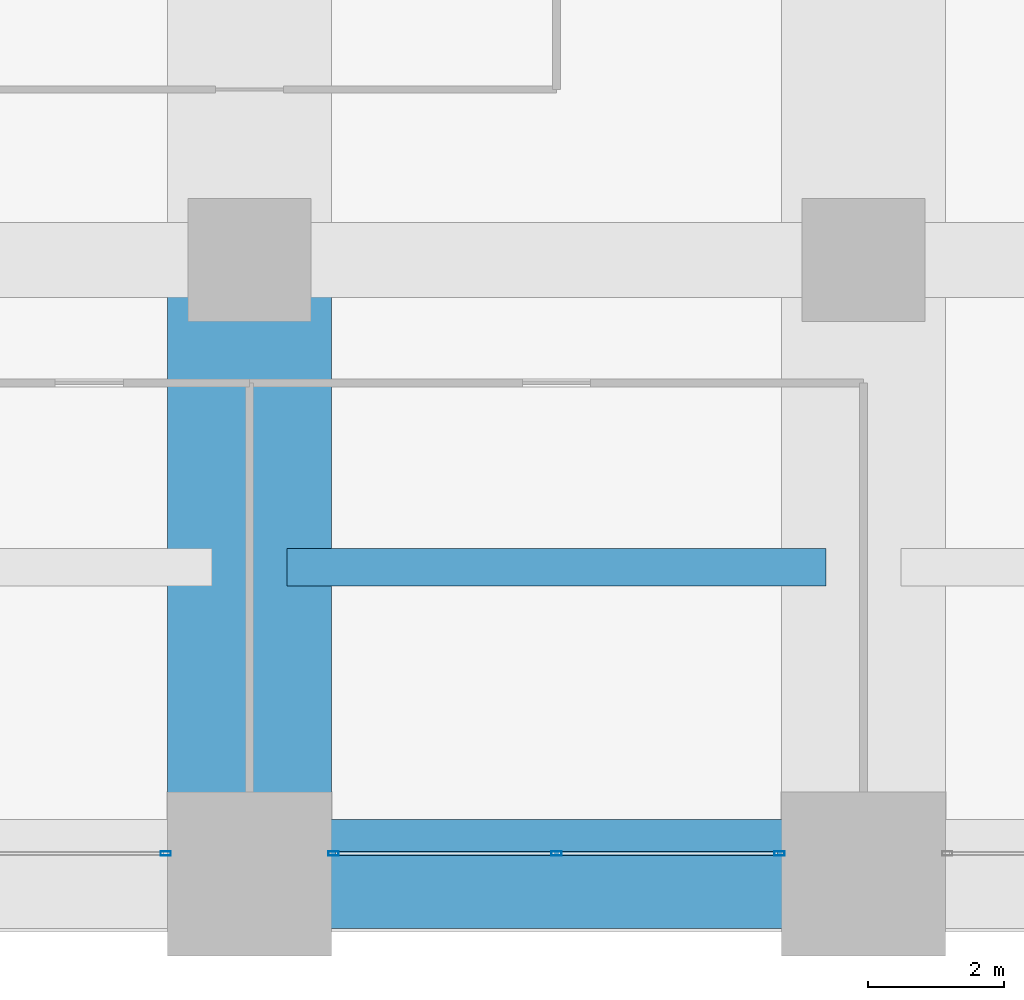
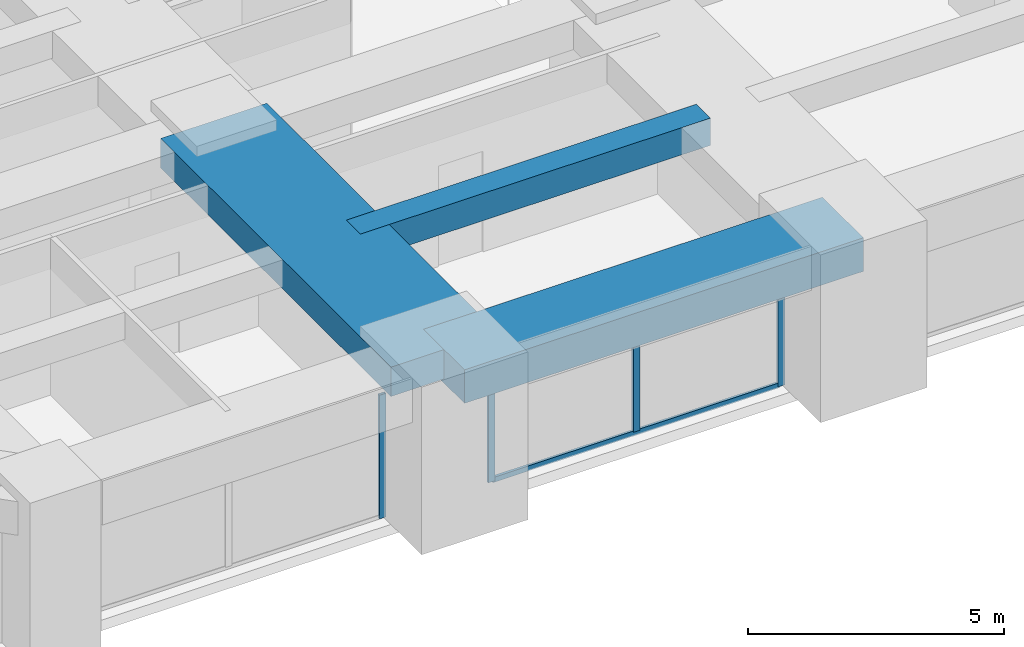
# One storey, part 6 of 43: 5 members, 3 beams, 2 elements without a shape of their own.
"""IFC4 building model written with IfcOpenShell, lengths in metres."""

from ifc_helpers import new_model, si_unit, direction, frame, origin, origin_2d, place, context, subcontext, project, spatial, rectangle, hollow_rectangle, extrude, material, material_profile, profile_set, type_object, element, aggregate, save


model = new_model("IFC4")

# Units and contexts
model_context = context("Model", 3, precision=1e-05, world=origin(), true_north=direction((0.0, 1.0)))
body_context = subcontext(model_context, "Body", "Model", "MODEL_VIEW")
ifc_project = project(units=[si_unit("LENGTHUNIT", "METRE"), si_unit("AREAUNIT", "SQUARE_METRE"), si_unit("VOLUMEUNIT", "CUBIC_METRE"), si_unit("PLANEANGLEUNIT", "RADIAN"), si_unit("MASSUNIT", "GRAM", prefix="KILO")], contexts=[model_context])

# Site, building, storey
site_placement = place(None, origin())
site = spatial("IfcSite", under=ifc_project, at=site_placement, CompositionType="ELEMENT")
building_placement = place(site_placement, origin())
building = spatial("IfcBuilding", under=site, at=building_placement, Name="Zorevar Civic Tower", CompositionType="ELEMENT")
storey_placement = place(building_placement, frame((0.0, 0.0, 141.0)))
storey = spatial("IfcBuildingStorey", under=building, at=storey_placement, Name="L34", CompositionType="ELEMENT", Elevation=141.0)

# Beams
ifc_material_1 = material(Name="Concrete C50/60", Category="concrete")
ifc_material_profile_1 = material_profile(ifc_material_1, rectangle(XDim=2.39990234375, YDim=0.699951171875, at=origin_2d()), Name="RC 2400x700")
ifc_profile_set_1 = profile_set([ifc_material_profile_1], Name="Concrete C50/60")
beam_type_1 = type_object("IfcBeamType", Name="Beam RC 2400x700", PredefinedType="BEAM", material=ifc_profile_set_1)
beam_1_placement = place(storey_placement, frame((18.0, 0.0, 3.39990234375), z_axis=(0.0, 1.0, 0.0), x_axis=(-1.0, 0.0, 0.0)))
element("IfcBeam", 1, at=beam_1_placement, inside=storey, type_object=beam_type_1, Name="Girder L35", PredefinedType="BEAM", context=body_context, shape_type="SweptSolid", body=[
    extrude(rectangle(XDim=2.39990234375, YDim=0.699951171875, at=origin_2d()), origin(), (0.0, 0.0, 1.0), 9.0),
])
ifc_material_2 = material(Name="Concrete C50/60", Category="concrete")
ifc_material_profile_2 = material_profile(ifc_material_2, rectangle(XDim=0.550048828125, YDim=0.64990234375, at=origin_2d()), Name="RC 550x650")
ifc_profile_set_2 = profile_set([ifc_material_profile_2], Name="Concrete C50/60")
beam_type_2 = type_object("IfcBeamType", Name="Beam RC 550x650", PredefinedType="BEAM", material=ifc_profile_set_2)
beam_2_placement = place(storey_placement, frame((18.550048828125, 4.5, 3.425048828125), z_axis=(1.0, 0.0, 0.0), x_axis=(0.0, 1.0, 0.0)))
element("IfcBeam", 2, at=beam_2_placement, inside=storey, type_object=beam_type_2, Name="Secondary beam L35", PredefinedType="BEAM", context=body_context, shape_type="SweptSolid", body=[
    extrude(rectangle(XDim=0.550048828125, YDim=0.64990234375, at=origin_2d()), origin(), (0.0, 0.0, 1.0), 7.89990234375),
])

# Curtain wall, member
ifc_material_3 = material(Name="Dark grey solar-control glass in black aluminium frame", Category="aluminium")
curtain_wall_type = type_object("IfcCurtainWallType", Name="Curtain wall CW3 mid zone", PredefinedType="NOTDEFINED", material=ifc_material_3)
curtain_wall_1_placement = place(storey_placement, origin())
curtain_wall_1 = element("IfcCurtainWall", 3, at=curtain_wall_1_placement, inside=storey, type_object=curtain_wall_type, Name="CW3 L34", PredefinedType="NOTDEFINED")
ifc_material_4 = material(Name="Aluminium, black anodised", Category="aluminium")
ifc_material_profile_3 = material_profile(ifc_material_4, hollow_rectangle(XDim=0.06005859375, YDim=0.14990234375, WallThickness=0.00390625, at=origin_2d()), Name="AL 150x60x4")
ifc_profile_set_3 = profile_set([ifc_material_profile_3], Name="Aluminium, black anodised")
member_type_1 = type_object("IfcMemberType", Name="CW3 mullion AL 150x60x4", PredefinedType="MULLION", material=ifc_profile_set_3)
member_1_placement = place(storey_placement, frame((16.77001953125, 0.300048828125, 0.0), z_axis=(0.0, 0.0, 1.0), x_axis=(0.0, 1.0, 0.0)))
member_1 = element("IfcMember", 4, at=member_1_placement, type_object=member_type_1, Name="CW3 mullion 3", PredefinedType="MULLION", context=body_context, shape_type="SweptSolid", body=[
    extrude(hollow_rectangle(XDim=0.06005859375, YDim=0.14990234375, WallThickness=0.00390625, at=origin_2d()), origin(), (0.0, 0.0, 1.0), 2.949951171875),
])
aggregate(curtain_wall_1, [member_1])

# Curtain wall, members
curtain_wall_2_placement = place(storey_placement, origin())
curtain_wall_2 = element("IfcCurtainWall", 5, at=curtain_wall_2_placement, inside=storey, type_object=curtain_wall_type, Name="CW3 L34", PredefinedType="NOTDEFINED")
member_2_placement = place(storey_placement, frame((19.22998046875, 0.300048828125, 0.0), z_axis=(0.0, 0.0, 1.0), x_axis=(0.0, 1.0, 0.0)))
member_2 = element("IfcMember", 6, at=member_2_placement, type_object=member_type_1, Name="CW3 mullion 1", PredefinedType="MULLION", context=body_context, shape_type="SweptSolid", body=[
    extrude(hollow_rectangle(XDim=0.06005859375, YDim=0.14990234375, WallThickness=0.00390625, at=origin_2d()), origin(), (0.0, 0.0, 1.0), 2.949951171875),
])
member_3_placement = place(storey_placement, frame((22.5, 0.300048828125, 0.06005859375), z_axis=(0.0, 0.0, 1.0), x_axis=(0.0, 1.0, 0.0)))
member_3 = element("IfcMember", 7, at=member_3_placement, type_object=member_type_1, Name="CW3 mullion 2", PredefinedType="MULLION", context=body_context, shape_type="SweptSolid", body=[
    extrude(hollow_rectangle(XDim=0.06005859375, YDim=0.14990234375, WallThickness=0.00390625, at=origin_2d()), origin(), (0.0, 0.0, 1.0), 2.889892578125),
])
member_4_placement = place(storey_placement, frame((25.77001953125, 0.300048828125, 0.0), z_axis=(0.0, 0.0, 1.0), x_axis=(0.0, 1.0, 0.0)))
member_4 = element("IfcMember", 8, at=member_4_placement, type_object=member_type_1, Name="CW3 mullion 3", PredefinedType="MULLION", context=body_context, shape_type="SweptSolid", body=[
    extrude(hollow_rectangle(XDim=0.06005859375, YDim=0.14990234375, WallThickness=0.00390625, at=origin_2d()), origin(), (0.0, 0.0, 1.0), 2.949951171875),
])
ifc_material_5 = material(Name="Aluminium, black anodised", Category="aluminium")
ifc_material_profile_4 = material_profile(ifc_material_5, hollow_rectangle(XDim=0.06005859375, YDim=0.1201171875, WallThickness=0.0029296875, at=origin_2d()), Name="AL 120x60x3")
ifc_profile_set_4 = profile_set([ifc_material_profile_4], Name="Aluminium, black anodised")
member_type_2 = type_object("IfcMemberType", Name="CW3 transom AL 120x60x3", PredefinedType="USERDEFINED", material=ifc_profile_set_4)
member_5_placement = place(storey_placement, frame((19.260009765625, 0.300048828125, 0.030029296875), z_axis=(1.0, 0.0, 0.0), x_axis=(0.0, 1.0, 0.0)))
member_5 = element("IfcMember", 9, at=member_5_placement, type_object=member_type_2, Name="CW3 sill transom", ObjectType="TRANSOM", PredefinedType="USERDEFINED", context=body_context, shape_type="SweptSolid", body=[
    extrude(hollow_rectangle(XDim=0.06005859375, YDim=0.1201171875, WallThickness=0.0029296875, at=origin_2d()), origin(), (0.0, 0.0, 1.0), 6.47998046875),
])
aggregate(curtain_wall_2, [member_2, member_3, member_4, member_5])

# Beam
ifc_material_6 = material(Name="Concrete C50/60", Category="concrete")
ifc_material_profile_5 = material_profile(ifc_material_6, rectangle(XDim=1.60009765625, YDim=0.800048828125, at=origin_2d()), Name="RC 1600x800")
ifc_profile_set_5 = profile_set([ifc_material_profile_5], Name="Concrete C50/60")
beam_type_3 = type_object("IfcBeamType", Name="Edge beam RC 1600x800", PredefinedType="SPANDREL", material=ifc_profile_set_5)
beam_3_placement = place(storey_placement, frame((18.0, 0.0, 3.35009765625), z_axis=(1.0, 0.0, 0.0), x_axis=(0.0, 1.0, 0.0)))
element("IfcBeam", 10, at=beam_3_placement, inside=storey, type_object=beam_type_3, Name="Edge beam L35", PredefinedType="SPANDREL", context=body_context, shape_type="SweptSolid", body=[
    extrude(rectangle(XDim=1.60009765625, YDim=0.800048828125, at=origin_2d()), origin(), (0.0, 0.0, 1.0), 9.0),
])

save(model, "model.ifc")
